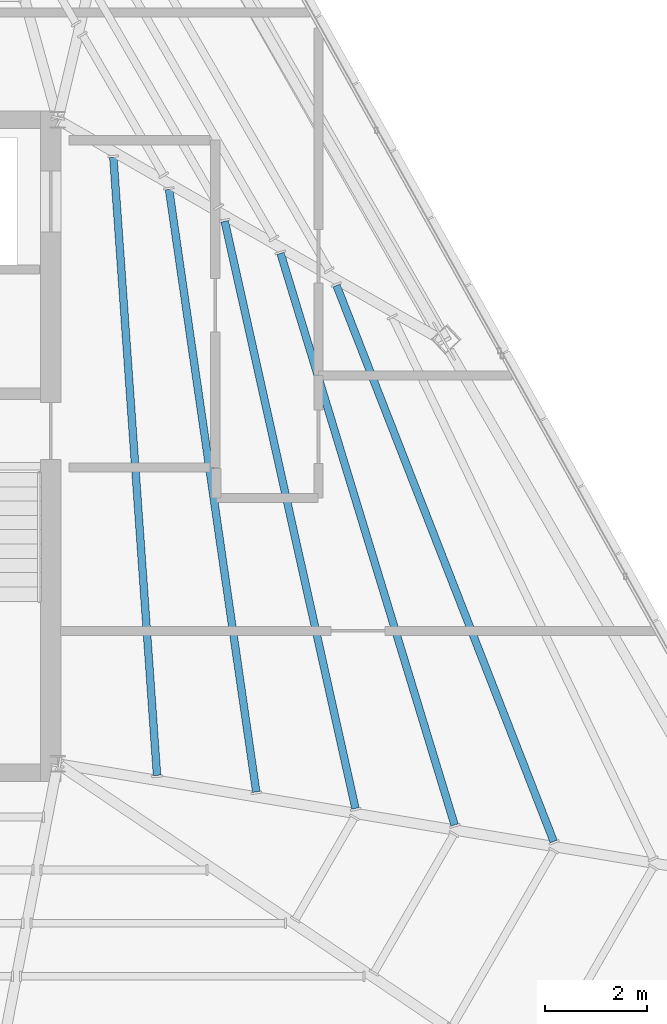
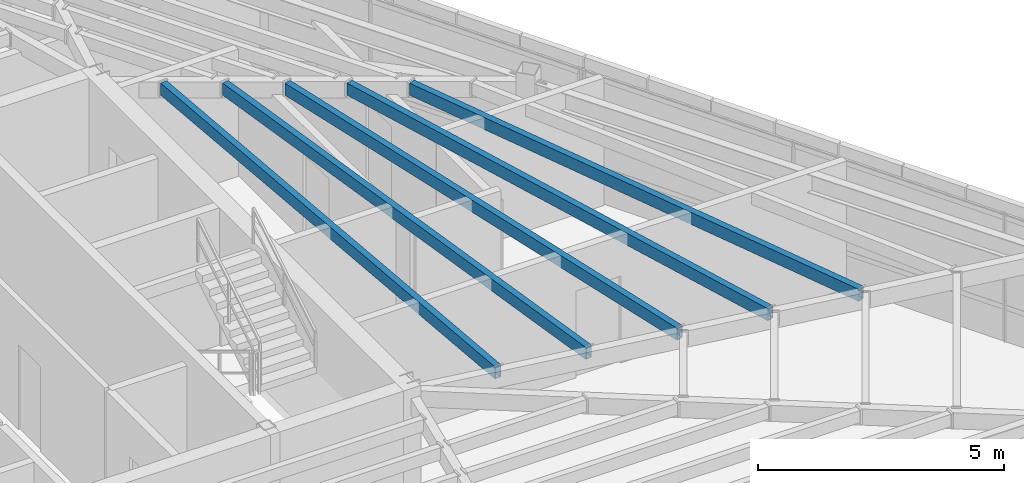
# One storey, part 24 of 47: 5 beams.
"""IFC4 building model written with IfcOpenShell, lengths in metres."""

import ifcopenshell
import ifcopenshell.guid

model = None  # the IFC model being written
_history = None  # IfcOwnerHistory: only IFC2X3 demands one
_inside = {}  # id of a spatial element -> (the spatial element, [elements in it])
_under = {}  # id of a project, library or spatial element -> (it, [spatial elements below it])
_declared = {}  # id of a project -> (the project, [libraries it declares])
_typed = {}  # id of a type object -> (the type object, [elements of that type])
_made_of = {}  # id of a material, layer set ... -> (it, [elements and type objects made of it])


def new_model(schema):
    """Start an empty IFC model of exactly this schema.

    Asked for "IFC4X3", IfcOpenShell would pick the latest addendum, in which some entities
    have other attributes; the version numbers below select the first issue.
    IFC2X3 requires an IfcOwnerHistory on every rooted entity: one is made here for all.
    """
    global model, _history
    if schema == "IFC4X3":
        model = ifcopenshell.file(schema_version=(4, 3, 0, 0))
    else:
        model = ifcopenshell.file(schema=schema)
    _inside.clear()
    _under.clear()
    _declared.clear()
    _typed.clear()
    _made_of.clear()
    _history = None
    if model.schema == "IFC2X3":
        org = make("IfcOrganization", Name="unknown")
        user = make(
            "IfcPersonAndOrganization",
            ThePerson=make("IfcPerson", FamilyName="unknown"),
            TheOrganization=org,
        )
        app = make(
            "IfcApplication",
            ApplicationDeveloper=org,
            Version="unknown",
            ApplicationFullName="unknown",
            ApplicationIdentifier="unknown",
        )
        _history = make(
            "IfcOwnerHistory",
            OwningUser=user,
            OwningApplication=app,
            ChangeAction="ADDED",
            CreationDate=0,
        )
    return model


def make(cls, **values):
    """One entity of the class cls with the attributes given. An attribute that is None is left unset."""
    return model.create_entity(
        cls, **{name: value for name, value in values.items() if value is not None}
    )


def rooted(cls, **values):
    """An entity with a GlobalId (a new one), such as an element, a storey or a relation."""
    return make(cls, GlobalId=ifcopenshell.guid.new(), OwnerHistory=_history, **values)


def si_unit(unit_type, name, prefix=None):
    """IfcSIUnit, for example si_unit("LENGTHUNIT", "METRE", prefix="MILLI")."""
    return make("IfcSIUnit", UnitType=unit_type, Prefix=prefix, Name=name)


def assignment(units):
    """IfcUnitAssignment: the units of a project."""
    return None if units is None else make("IfcUnitAssignment", Units=units)


def point(xyz):
    """IfcCartesianPoint."""
    return None if xyz is None else make("IfcCartesianPoint", Coordinates=xyz)


def direction(xyz):
    """IfcDirection."""
    return None if xyz is None else make("IfcDirection", DirectionRatios=xyz)


def frame(location, z_axis=None, x_axis=None):
    """IfcAxis2Placement3D, a coordinate frame: its origin and axes. An axis left out is left unset."""
    return make(
        "IfcAxis2Placement3D",
        Location=point(location),
        Axis=direction(z_axis),
        RefDirection=direction(x_axis),
    )


def frame_2d(location, x_axis=None):
    """IfcAxis2Placement2D, a coordinate frame in the plane: its origin and x axis."""
    return make(
        "IfcAxis2Placement2D", Location=point(location), RefDirection=direction(x_axis)
    )


def origin():
    """The frame at (0, 0, 0) with its axes left unset."""
    return frame((0.0, 0.0, 0.0))


def origin_2d():
    """The frame at (0, 0) in the plane with its x axis left unset."""
    return frame_2d((0.0, 0.0))


def place(relative_to, where):
    """IfcLocalPlacement: puts the frame where relative to a parent placement (None: the world)."""
    return make(
        "IfcLocalPlacement", PlacementRelTo=relative_to, RelativePlacement=where
    )


def context(
    kind, dimensions, precision=None, world=None, true_north=None, identifier=None
):
    """IfcGeometricRepresentationContext, for example the 3D "Model" context."""
    return make(
        "IfcGeometricRepresentationContext",
        ContextIdentifier=identifier,
        ContextType=kind,
        CoordinateSpaceDimension=dimensions,
        Precision=precision,
        WorldCoordinateSystem=world,
        TrueNorth=true_north,
    )


def subcontext(parent, identifier, kind, view, scale=None):
    """IfcGeometricRepresentationSubContext, for example "Body" below "Model"."""
    return make(
        "IfcGeometricRepresentationSubContext",
        ContextIdentifier=identifier,
        ContextType=kind,
        ParentContext=parent,
        TargetScale=scale,
        TargetView=view,
    )


def project(units=None, contexts=None):
    """IfcProject with its units and contexts."""
    return rooted(
        "IfcProject",
        Name="project",
        RepresentationContexts=contexts,
        UnitsInContext=assignment(units),
    )


def spatial(cls, under=None, at=None, **own):
    """A site, building, storey or space (cls), placed at a placement, below another one or the project."""
    s = rooted(cls, ObjectPlacement=at, **own)
    if under is not None:
        _under.setdefault(under.id(), (under, []))[1].append(s)
    return s


def profile(cls, at=None, kind="AREA", **sizes):
    """A parametric profile (cls). Its sizes go by their IFC names, for example OverallWidth=200.0."""
    return make(cls, ProfileType=kind, Position=at, **sizes)


def hollow_rectangle(**sizes):
    """IfcRectangleHollowProfileDef."""
    return profile("IfcRectangleHollowProfileDef", **sizes)


def extrude(swept, where, along, depth):
    """IfcExtrudedAreaSolid: the profile swept, set in the frame where, extruded along a direction by depth."""
    return make(
        "IfcExtrudedAreaSolid",
        SweptArea=swept,
        Position=where,
        ExtrudedDirection=direction(along),
        Depth=depth,
    )


def shape(context_of_items, identifier, shape_type, items):
    """IfcShapeRepresentation: the items that make up one representation, for example the "Body"."""
    return make(
        "IfcShapeRepresentation",
        ContextOfItems=context_of_items,
        RepresentationIdentifier=identifier,
        RepresentationType=shape_type,
        Items=items,
    )


def source(mapping_origin, context_of_items, identifier, shape_type, items):
    """IfcRepresentationMap: a shape defined once, which mapped items show again and again."""
    return make(
        "IfcRepresentationMap",
        MappingOrigin=mapping_origin,
        MappedRepresentation=shape(context_of_items, identifier, shape_type, items),
    )


def transform(
    local_origin,
    x_axis=None,
    y_axis=None,
    z_axis=None,
    scale=None,
    scale2=None,
    scale3=None,
    uniform=True,
):
    """IfcCartesianTransformationOperator3D, or its non-uniform kind. x_axis, y_axis, z_axis: its Axis1, 2, 3."""
    if uniform:
        return make(
            "IfcCartesianTransformationOperator3D",
            Axis1=direction(x_axis),
            Axis2=direction(y_axis),
            LocalOrigin=point(local_origin),
            Scale=scale,
            Axis3=direction(z_axis),
        )
    return make(
        "IfcCartesianTransformationOperator3DnonUniform",
        Axis1=direction(x_axis),
        Axis2=direction(y_axis),
        LocalOrigin=point(local_origin),
        Scale=scale,
        Axis3=direction(z_axis),
        Scale2=scale2,
        Scale3=scale3,
    )


def mapped(mapping_source, mapping_target):
    """IfcMappedItem: shows the shape of a source again, moved by a transform."""
    return make(
        "IfcMappedItem", MappingSource=mapping_source, MappingTarget=mapping_target
    )


def material(Name=None, Category=None):
    """IfcMaterial."""
    return make("IfcMaterial", Name=Name, Category=Category)


def material_profile(
    of_material, cross_section, Name=None, Category=None, Priority=None
):
    """IfcMaterialProfile: a cross section and its material."""
    return make(
        "IfcMaterialProfile",
        Name=Name,
        Material=of_material,
        Profile=cross_section,
        Priority=Priority,
        Category=Category,
    )


def profile_set(profiles, Name=None, composite=None):
    """IfcMaterialProfileSet."""
    return make(
        "IfcMaterialProfileSet",
        Name=Name,
        MaterialProfiles=profiles,
        CompositeProfile=composite,
    )


def made_of(thing, what):
    """Note that an element or type object is made of a material, layer set ...; save() writes the relation."""
    if what is not None:
        _made_of.setdefault(what.id(), (what, []))[1].append(thing)
    return thing


def type_object(cls, material=None, **own):
    """A type object (cls), such as IfcWallType, which elements share."""
    return made_of(rooted(cls, **own), material)


def type_shapes(of_type, sources):
    """Give a type object the sources (RepresentationMaps) that its elements show as mapped items."""
    of_type.RepresentationMaps = sources


def element(
    cls,
    number,
    at=None,
    inside=None,
    cuts=None,
    type_object=None,
    material=None,
    context=None,
    identifier="Body",
    shape_type=None,
    held_by="IfcProductDefinitionShape",
    body=None,
    shapes=None,
    **own,
):
    """One element of the class cls, such as IfcWall. Its Tag is "e" and its number.

    at: its placement. inside: the storey or other place that contains it. cuts: it is an
    opening in that element (IfcRelVoidsElement). A single representation is given by context,
    identifier, shape_type and body (its items); several are given by shapes. held_by: the class
    of the entity that holds the representations. save() writes the other relations.
    """
    e = rooted(cls, Tag="e%d" % number, ObjectPlacement=at, **own)
    if body is not None:
        shapes = [shape(context, identifier, shape_type, body)]
    if shapes is not None:
        e.Representation = make(held_by, Representations=shapes)
    if inside is not None:
        _inside.setdefault(inside.id(), (inside, []))[1].append(e)
    if cuts is not None:
        rooted(
            "IfcRelVoidsElement", RelatingBuildingElement=cuts, RelatedOpeningElement=e
        )
    if type_object is not None:
        _typed.setdefault(type_object.id(), (type_object, []))[1].append(e)
    return made_of(e, material)


def aggregate(whole, parts):
    """IfcRelAggregates: a whole, such as a stair, and the parts it consists of."""
    return rooted("IfcRelAggregates", RelatingObject=whole, RelatedObjects=parts)


def save(model, path):
    """Write the relations noted so far, then the file.

    IfcRelAggregates (storeys below a building ...), IfcRelContainedInSpatialStructure (elements
    in a storey), IfcRelDefinesByType, IfcRelAssociatesMaterial and IfcRelDeclares: one each for
    every whole, place, type object, material and project.
    """
    for whole, parts in _under.values():
        aggregate(whole, parts)
    for where, things in _inside.values():
        rooted(
            "IfcRelContainedInSpatialStructure",
            RelatedElements=things,
            RelatingStructure=where,
        )
    for kind, things in _typed.values():
        rooted("IfcRelDefinesByType", RelatedObjects=things, RelatingType=kind)
    for what, things in _made_of.values():
        rooted("IfcRelAssociatesMaterial", RelatedObjects=things, RelatingMaterial=what)
    for by, libraries in _declared.values():
        rooted("IfcRelDeclares", RelatingContext=by, RelatedDefinitions=libraries)
    model.write(path)


model = new_model("IFC4")

# Units and contexts
model_context = context("Model", 3, precision=1e-05, world=origin(), true_north=direction((0.0, 1.0)))
body_context = subcontext(model_context, "Body", "Model", "MODEL_VIEW")
ifc_project = project(units=[si_unit("LENGTHUNIT", "METRE"), si_unit("AREAUNIT", "SQUARE_METRE"), si_unit("VOLUMEUNIT", "CUBIC_METRE"), si_unit("PLANEANGLEUNIT", "RADIAN"), si_unit("MASSUNIT", "GRAM", prefix="KILO")], contexts=[model_context])

# Site, building, storey
site_placement = place(None, origin())
site = spatial("IfcSite", under=ifc_project, at=site_placement, CompositionType="ELEMENT")
building_placement = place(site_placement, origin())
building = spatial("IfcBuilding", under=site, at=building_placement, Name="Caelisora Broadcast Tower", CompositionType="ELEMENT")
storey_placement = place(building_placement, frame((0.0, 0.0, 293.199951171875)))
storey = spatial("IfcBuildingStorey", under=building, at=storey_placement, Name="L77", CompositionType="ELEMENT", Elevation=293.199951171875)

# Beams
ifc_material = material(Name="Steel Grade 350 (AS/NZS 1163 C350L0)", Category="steel")
ifc_material_profile = material_profile(ifc_material, hollow_rectangle(XDim=0.14990234375, YDim=0.300048828125, WallThickness=0.010009765625, at=origin_2d()), Name="Steel Grade 350 (AS/NZS 1163 C350L0)")
ifc_profile_set = profile_set([ifc_material_profile], Name="Steel Grade 350 (AS/NZS 1163 C350L0)")
beam_type = type_object("IfcBeamType", Name="SB05", PredefinedType="JOIST", material=ifc_profile_set)
shared_shape_1 = source(origin(), body_context, "Body", "SweptSolid", [
    extrude(hollow_rectangle(XDim=0.14990234375, YDim=0.300048828125, WallThickness=0.010009765625, at=origin_2d()), origin(), (0.0, 0.0, 1.0), 12.119140625),
])
beam_1_placement = place(storey_placement, frame((47.441650390625, 17.1748046875, 3.0), z_axis=(-0.070466797479, 0.99751412544, 0.0), x_axis=(-0.99751412544, -0.070466797479, 0.0)))
element("IfcBeam", 1, at=beam_1_placement, inside=storey, type_object=beam_type, Name="L77 beam SB05", PredefinedType="JOIST", context=body_context, shape_type="MappedRepresentation", body=[
    mapped(shared_shape_1, transform((0.0, 0.0, 0.0), scale=1.0)),
])
shared_shape_2 = source(origin(), body_context, "Body", "SweptSolid", [
    extrude(hollow_rectangle(XDim=0.14990234375, YDim=0.300048828125, WallThickness=0.010009765625, at=origin_2d()), origin(), (0.0, 0.0, 1.0), 11.910400390625),
])
beam_2_placement = place(storey_placement, frame((49.3828125, 16.851318359375, 3.0), z_axis=(-0.143260603657, 0.989685000109, 0.0), x_axis=(-0.989685000109, -0.143260603657, 0.0)))
element("IfcBeam", 2, at=beam_2_placement, inside=storey, type_object=beam_type, Name="L77 beam SB05", PredefinedType="JOIST", context=body_context, shape_type="MappedRepresentation", body=[
    mapped(shared_shape_2, transform((0.0, 0.0, 0.0), scale=1.0)),
])
shared_shape_3 = source(origin(), body_context, "Body", "SweptSolid", [
    extrude(hollow_rectangle(XDim=0.14990234375, YDim=0.300048828125, WallThickness=0.010009765625, at=origin_2d()), origin(), (0.0, 0.0, 1.0), 11.766357421875),
])
beam_3_placement = place(storey_placement, frame((51.323486328125, 16.528076171875, 3.0), z_axis=(-0.217262184279, 0.976113284042, 0.0), x_axis=(-0.976113284042, -0.217262184279, 0.0)))
element("IfcBeam", 3, at=beam_3_placement, inside=storey, type_object=beam_type, Name="L77 beam SB05", PredefinedType="JOIST", context=body_context, shape_type="MappedRepresentation", body=[
    mapped(shared_shape_3, transform((0.0, 0.0, 0.0), scale=1.0)),
])
shared_shape_4 = source(origin(), body_context, "Body", "SweptSolid", [
    extrude(hollow_rectangle(XDim=0.14990234375, YDim=0.300048828125, WallThickness=0.010009765625, at=origin_2d()), origin(), (0.0, 0.0, 1.0), 11.688720703125),
])
beam_4_placement = place(storey_placement, frame((53.26318359375, 16.20458984375, 3.0), z_axis=(-0.291204834698, 0.956660725779, 0.0), x_axis=(-0.956660725779, -0.291204834698, 0.0)))
element("IfcBeam", 4, at=beam_4_placement, inside=storey, type_object=beam_type, Name="L77 beam SB05", PredefinedType="JOIST", context=body_context, shape_type="MappedRepresentation", body=[
    mapped(shared_shape_4, transform((0.0, 0.0, 0.0), scale=1.0)),
])
shared_shape_5 = source(origin(), body_context, "Body", "SweptSolid", [
    extrude(hollow_rectangle(XDim=0.14990234375, YDim=0.300048828125, WallThickness=0.010009765625, at=origin_2d()), origin(), (0.0, 0.0, 1.0), 11.67724609375),
])
type_shapes(beam_type, [shared_shape_1, shared_shape_2, shared_shape_3, shared_shape_4, shared_shape_5])
beam_5_placement = place(storey_placement, frame((55.202392578125, 15.881591796875, 3.0), z_axis=(-0.363811980087, 0.931472406003, 0.0), x_axis=(-0.931472406003, -0.363811980087, 0.0)))
element("IfcBeam", 5, at=beam_5_placement, inside=storey, type_object=beam_type, Name="L77 beam SB05", PredefinedType="JOIST", context=body_context, shape_type="MappedRepresentation", body=[
    mapped(shared_shape_5, transform((0.0, 0.0, 0.0), scale=1.0)),
])

save(model, "model.ifc")
